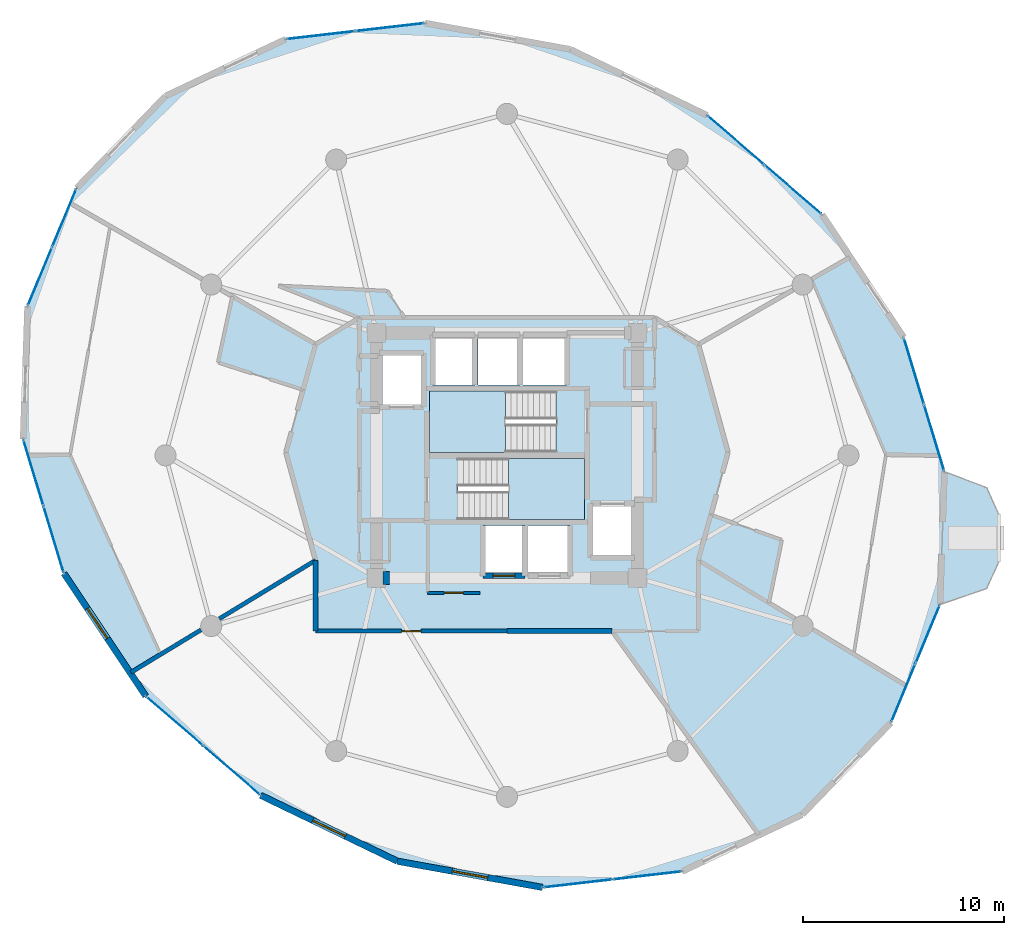
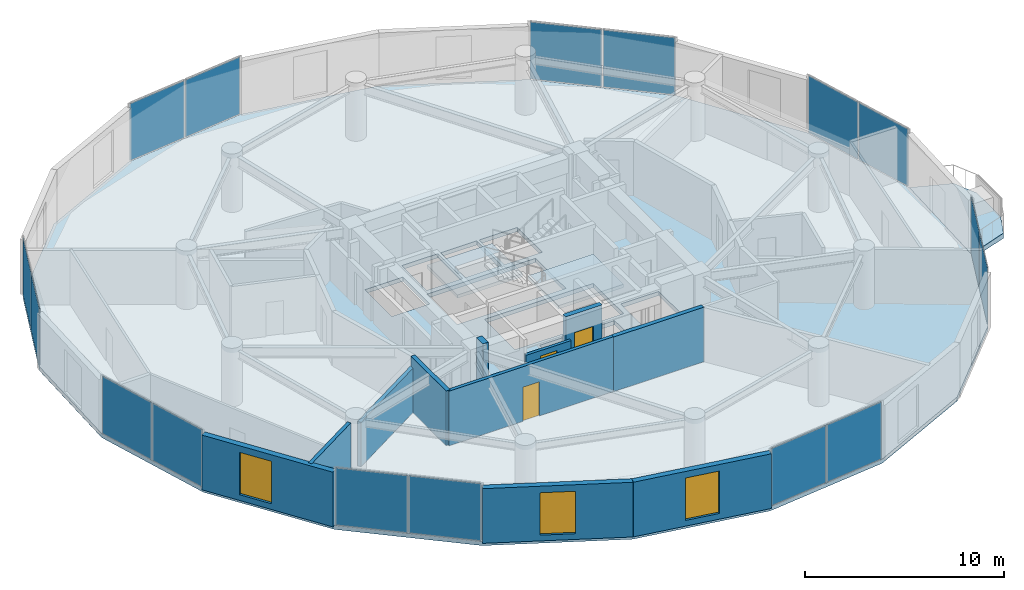
# One storey, part 20 of 26: 16 plates, 11 walls, 4 slabs, 3 doors, 3 windows, 6 openings, 10 elements without a shape of their own.
"""IFC4 building model written with IfcOpenShell, lengths in metres."""

from ifc_helpers import new_model, si_unit, direction, frame, frame_2d, origin, origin_2d, place, context, subcontext, project, spatial, polyline, rectangle, outline, extrude, source, transform, mapped, material, layer, layer_set, type_object, element, fill, aggregate, save


model = new_model("IFC4")

# Units and contexts
model_context = context("Model", 3, precision=1e-05, world=origin(), true_north=direction((0.0, 1.0)))
body_context = subcontext(model_context, "Body", "Model", "MODEL_VIEW")
ifc_project = project(units=[si_unit("LENGTHUNIT", "METRE"), si_unit("AREAUNIT", "SQUARE_METRE"), si_unit("VOLUMEUNIT", "CUBIC_METRE"), si_unit("PLANEANGLEUNIT", "RADIAN"), si_unit("MASSUNIT", "GRAM", prefix="KILO")], contexts=[model_context])

# Site, building, storey
site_placement = place(None, origin())
site = spatial("IfcSite", under=ifc_project, at=site_placement, CompositionType="ELEMENT")
building_placement = place(site_placement, origin())
building = spatial("IfcBuilding", under=site, at=building_placement, Name="Solvirekh Grand Hotel", CompositionType="ELEMENT")
storey_placement = place(building_placement, frame((0.0, 0.0, 113.39990234375)))
storey = spatial("IfcBuildingStorey", under=building, at=storey_placement, Name="L28", CompositionType="ELEMENT", Elevation=113.39990234375)

# Slab
ifc_material_1 = material(Name="Concrete C50/60", Category="concrete")
ifc_layer_1 = layer(ifc_material_1, 0.31005859375)
ifc_layer_set_1 = layer_set([ifc_layer_1], Name="Concrete C50/60")
slab_type_1 = type_object("IfcSlabType", Name="ExtHornSkyGarden_310", PredefinedType="FLOOR", material=ifc_layer_set_1)
slab_1_placement = place(storey_placement, frame((0.0, 0.0, -0.309814453125)))
element("IfcSlab", 1, at=slab_1_placement, inside=storey, type_object=slab_type_1, Name="L28 east horn sky-garden deck", PredefinedType="FLOOR", context=body_context, shape_type="SweptSolid", body=[
    extrude(outline(polyline([(21.782958984375, -0.81494140625), (21.56396484375, -7.424072265625), (23.883056640625, -6.631103515625), (24.48291015625, -5.30908203125), (24.48291015625, -2.929931640625), (23.883056640625, -1.60791015625), (21.782958984375, -0.81494140625)])), origin(), (0.0, 0.0, 1.0), 0.309814453125),
])

# Stair, slab
ifc_material_2 = material(Name="Concrete C40/50", Category="concrete")
stair_type = type_object("IfcStairType", Name="Stair_Core_1450", PredefinedType="HALF_TURN_STAIR", material=ifc_material_2)
stair_1_placement = place(storey_placement, origin())
stair_1 = element("IfcStair", 2, at=stair_1_placement, inside=storey, type_object=stair_type, Name="L28 Enclosed exit stair ST-1", PredefinedType="HALF_TURN_STAIR")
ifc_layer_2 = layer(ifc_material_2, 0.199951171875)
ifc_layer_set_2 = layer_set([ifc_layer_2], Name="Concrete C40/50")
slab_type_2 = type_object("IfcSlabType", Name="Landing_Stair_200", PredefinedType="LANDING", material=ifc_layer_set_2)
slab_2_placement = place(storey_placement, frame((0.0, 0.0, 1.60009765625)))
slab_2 = element("IfcSlab", 3, at=slab_2_placement, type_object=slab_type_2, Name="ST-1 landing 1", PredefinedType="LANDING", context=body_context, shape_type="SweptSolid", body=[
    extrude(outline(polyline([(0.070068359375, -3.199951171875), (3.85009765625, -3.199951171875), (3.85009765625, -0.14990234375), (0.070068359375, -0.14990234375), (0.070068359375, -3.199951171875)])), origin(), (0.0, 0.0, 1.0), 0.199951171875),
])
aggregate(stair_1, [slab_2])

stair_2_placement = place(storey_placement, origin())
stair_2 = element("IfcStair", 4, at=stair_2_placement, inside=storey, type_object=stair_type, Name="L28 Enclosed exit stair ST-2", PredefinedType="HALF_TURN_STAIR")
slab_3_placement = place(storey_placement, frame((0.0, 0.0, 1.60009765625)))
slab_3 = element("IfcSlab", 5, at=slab_3_placement, type_object=slab_type_2, Name="ST-2 landing 1", PredefinedType="LANDING", context=body_context, shape_type="SweptSolid", body=[
    extrude(outline(polyline([(-0.070068359375, 3.199951171875), (-3.85009765625, 3.199951171875), (-3.85009765625, 0.14990234375), (-0.070068359375, 0.14990234375), (-0.070068359375, 3.199951171875)])), origin(), (0.0, 0.0, 1.0), 0.199951171875),
])
aggregate(stair_2, [slab_3])

# Slab
ifc_layer_3 = layer(ifc_material_1, 0.25)
ifc_layer_set_3 = layer_set([ifc_layer_3], Name="Concrete C50/60")
slab_type_3 = type_object("IfcSlabType", Name="Slab_GuestZ2_250", PredefinedType="FLOOR", material=ifc_layer_set_3)
slab_4_placement = place(storey_placement, frame((0.0, 0.0, -0.25)))
element("IfcSlab", 6, at=slab_4_placement, inside=storey, type_object=slab_type_3, Name="L28 structural floor slab", PredefinedType="FLOOR", context=body_context, shape_type="SweptSolid", body=[
    extrude(outline(polyline([(19.123046875, -13.306884765625), (21.56396484375, -7.424072265625), (21.782958984375, -0.81494140625), (19.756103515625, 5.8740234375), (15.68310546875, 11.988037109375), (9.9619140625, 16.928955078125), (3.153076171875, 20.2119140625), (-4.076904296875, 21.51708984375), (-11.02001953125, 20.716064453125), (-16.9970703125, 17.886962890625), (-21.423095703125, 13.306884765625), (-23.864013671875, 7.424072265625), (-24.0830078125, 0.81494140625), (-22.055908203125, -5.8740234375), (-17.98291015625, -11.988037109375), (-12.261962890625, -16.928955078125), (-5.452880859375, -20.2119140625), (1.777099609375, -21.51708984375), (8.719970703125, -20.716064453125), (14.697021484375, -17.886962890625), (19.123046875, -13.306884765625)]), holes=[polyline([(-2.444091796875, -0.14990234375), (3.85009765625, -0.14990234375), (3.85009765625, -3.199951171875), (-2.444091796875, -3.199951171875), (-2.444091796875, -0.14990234375)]), polyline([(2.444091796875, 0.14990234375), (-3.85009765625, 0.14990234375), (-3.85009765625, 3.199951171875), (2.444091796875, 3.199951171875), (2.444091796875, 0.14990234375)]), polyline([(-1.199951171875, -3.5), (0.89990234375, -3.5), (0.89990234375, -6.0), (-1.199951171875, -6.0), (-1.199951171875, -3.5)]), polyline([(1.050048828125, -3.5), (3.14990234375, -3.5), (3.14990234375, -6.0), (1.050048828125, -6.0), (1.050048828125, -3.5)]), polyline([(-3.699951171875, 6.0), (-1.60009765625, 6.0), (-1.60009765625, 3.5), (-3.699951171875, 3.5), (-3.699951171875, 6.0)]), polyline([(-1.449951171875, 6.0), (0.64990234375, 6.0), (0.64990234375, 3.5), (-1.449951171875, 3.5), (-1.449951171875, 6.0)]), polyline([(0.800048828125, 6.0), (3.0, 6.0), (3.0, 3.5), (0.800048828125, 3.5), (0.800048828125, 6.0)]), polyline([(-6.35009765625, 5.10009765625), (-4.14990234375, 5.10009765625), (-4.14990234375, 2.39990234375), (-6.35009765625, 2.39990234375), (-6.35009765625, 5.10009765625)]), polyline([(4.14990234375, -2.39990234375), (6.35009765625, -2.39990234375), (6.35009765625, -5.10009765625), (4.14990234375, -5.10009765625), (4.14990234375, -2.39990234375)])]), origin(), (0.0, 0.0, 1.0), 0.25),
])

# Curtain wall, plates
ifc_material_3 = material(Name="Anodized Bronze Aluminium 6063-T6", Category="aluminium")
ifc_layer_4 = layer(ifc_material_3, 0.175048828125)
ifc_layer_set_4 = layer_set([ifc_layer_4], Name="Anodized Bronze Aluminium 6063-T6")
curtain_wall_type = type_object("IfcCurtainWallType", Name="CW_Sys3_MidZoneFlushBronzeCW", PredefinedType="NOTDEFINED", material=ifc_layer_set_4)
curtain_wall_1_placement = place(storey_placement, origin())
curtain_wall_1 = element("IfcCurtainWall", 7, at=curtain_wall_1_placement, inside=storey, type_object=curtain_wall_type, Name="L28 unitised bronze-glass curtain wall CW-L28-C01", PredefinedType="NOTDEFINED")
ifc_material_4 = material(Name="Low-E Tinted Bronze Laminated Glass", Category="aluminium")
ifc_layer_5 = layer(ifc_material_4, 0.035888671875)
ifc_layer_set_5 = layer_set([ifc_layer_5], Name="Low-E Tinted Bronze Laminated Glass")
plate_type = type_object("IfcPlateType", Name="CWPanel_Mid_36", PredefinedType="CURTAIN_PANEL", material=ifc_layer_set_5)
shared_shape_1 = source(origin(), body_context, "Body", "SweptSolid", [
    extrude(rectangle(XDim=3.087158203125, YDim=0.035888671875, at=origin_2d()), origin(), (0.0, 0.0, 1.0), 3.489990234375),
])
plate_1_placement = place(storey_placement, frame((19.739501953125, -11.8212890625, 0.05517578125), z_axis=(0.0, 0.0, 1.0), x_axis=(0.383243740872, 0.923647246021, 0.0)))
plate_1 = element("IfcPlate", 8, at=plate_1_placement, type_object=plate_type, Name="U03 panel 1.1", PredefinedType="CURTAIN_PANEL", context=body_context, shape_type="MappedRepresentation", body=[
    mapped(shared_shape_1, transform((0.0, 0.0, 0.0), x_axis=(1.0, 0.0, 0.0), y_axis=(0.0, 1.0, 0.0), z_axis=(0.0, 0.0, 1.0), scale=1.0)),
])
plate_2_placement = place(storey_placement, frame((20.947509765625, -8.90966796875, 0.05517578125), z_axis=(0.0, 0.0, 1.0), x_axis=(0.383243740872, 0.923647246021, 0.0)))
plate_2 = element("IfcPlate", 9, at=plate_2_placement, type_object=plate_type, Name="U03 panel 2.1", PredefinedType="CURTAIN_PANEL", context=body_context, shape_type="MappedRepresentation", body=[
    mapped(shared_shape_1, transform((0.0, 0.0, 0.0), x_axis=(1.0, 0.0, 0.0), y_axis=(0.0, 1.0, 0.0), z_axis=(0.0, 0.0, 1.0), scale=1.0)),
])
aggregate(curtain_wall_1, [plate_1, plate_2])

curtain_wall_2_placement = place(storey_placement, origin())
curtain_wall_2 = element("IfcCurtainWall", 10, at=curtain_wall_2_placement, inside=storey, type_object=curtain_wall_type, Name="L28 unitised bronze-glass curtain wall CW-L28-C11", PredefinedType="NOTDEFINED")
plate_3_placement = place(storey_placement, frame((-22.03955078125, 11.8212890625, 0.05517578125), z_axis=(0.0, 0.0, 1.0), x_axis=(-0.383243740872, -0.923647246021, 0.0)))
plate_3 = element("IfcPlate", 11, at=plate_3_placement, type_object=plate_type, Name="U03 panel 1.1", PredefinedType="CURTAIN_PANEL", context=body_context, shape_type="MappedRepresentation", body=[
    mapped(shared_shape_1, transform((0.0, 0.0, 0.0), x_axis=(1.0, 0.0, 0.0), y_axis=(0.0, 1.0, 0.0), z_axis=(0.0, 0.0, 1.0), scale=1.0)),
])
plate_4_placement = place(storey_placement, frame((-23.24755859375, 8.90966796875, 0.05517578125), z_axis=(0.0, 0.0, 1.0), x_axis=(-0.383243740872, -0.923647246021, 0.0)))
plate_4 = element("IfcPlate", 12, at=plate_4_placement, type_object=plate_type, Name="U03 panel 2.1", PredefinedType="CURTAIN_PANEL", context=body_context, shape_type="MappedRepresentation", body=[
    mapped(shared_shape_1, transform((0.0, 0.0, 0.0), x_axis=(1.0, 0.0, 0.0), y_axis=(0.0, 1.0, 0.0), z_axis=(0.0, 0.0, 1.0), scale=1.0)),
])
aggregate(curtain_wall_2, [plate_3, plate_4])

curtain_wall_3_placement = place(storey_placement, origin())
curtain_wall_3 = element("IfcCurtainWall", 13, at=curtain_wall_3_placement, inside=storey, type_object=curtain_wall_type, Name="L28 unitised bronze-glass curtain wall CW-L28-C03", PredefinedType="NOTDEFINED")
shared_shape_2 = source(origin(), body_context, "Body", "SweptSolid", [
    extrude(rectangle(XDim=3.397216796875, YDim=0.035888671875, at=origin_2d()), origin(), (0.0, 0.0, 1.0), 3.489990234375),
])
plate_5_placement = place(storey_placement, frame((21.271484375, 0.872802734375, 0.05517578125), z_axis=(0.0, 0.0, 1.0), x_axis=(-0.290011366226, 0.957023201108, 0.0)))
plate_5 = element("IfcPlate", 14, at=plate_5_placement, type_object=plate_type, Name="U03 panel 1.1", PredefinedType="CURTAIN_PANEL", context=body_context, shape_type="MappedRepresentation", body=[
    mapped(shared_shape_2, transform((0.0, 0.0, 0.0), x_axis=(1.0, 0.0, 0.0), y_axis=(0.0, 1.0, 0.0), z_axis=(0.0, 0.0, 1.0), scale=1.0)),
])
plate_6_placement = place(storey_placement, frame((20.267578125, 4.186279296875, 0.05517578125), z_axis=(0.0, 0.0, 1.0), x_axis=(-0.290011366226, 0.957023201108, 0.0)))
plate_6 = element("IfcPlate", 15, at=plate_6_placement, type_object=plate_type, Name="U03 panel 2.1", PredefinedType="CURTAIN_PANEL", context=body_context, shape_type="MappedRepresentation", body=[
    mapped(shared_shape_2, transform((0.0, 0.0, 0.0), x_axis=(1.0, 0.0, 0.0), y_axis=(0.0, 1.0, 0.0), z_axis=(0.0, 0.0, 1.0), scale=1.0)),
])
aggregate(curtain_wall_3, [plate_5, plate_6])

curtain_wall_4_placement = place(storey_placement, origin())
curtain_wall_4 = element("IfcCurtainWall", 16, at=curtain_wall_4_placement, inside=storey, type_object=curtain_wall_type, Name="L28 unitised bronze-glass curtain wall CW-L28-C13", PredefinedType="NOTDEFINED")
plate_7_placement = place(storey_placement, frame((-23.571533203125, -0.872802734375, 0.05517578125), z_axis=(0.0, 0.0, 1.0), x_axis=(0.290011366226, -0.957023201108, 0.0)))
plate_7 = element("IfcPlate", 17, at=plate_7_placement, type_object=plate_type, Name="U03 panel 1.1", PredefinedType="CURTAIN_PANEL", context=body_context, shape_type="MappedRepresentation", body=[
    mapped(shared_shape_2, transform((0.0, 0.0, 0.0), x_axis=(1.0, 0.0, 0.0), y_axis=(0.0, 1.0, 0.0), z_axis=(0.0, 0.0, 1.0), scale=1.0)),
])
plate_8_placement = place(storey_placement, frame((-22.5673828125, -4.186279296875, 0.05517578125), z_axis=(0.0, 0.0, 1.0), x_axis=(0.290011366226, -0.957023201108, 0.0)))
plate_8 = element("IfcPlate", 18, at=plate_8_placement, type_object=plate_type, Name="U03 panel 2.1", PredefinedType="CURTAIN_PANEL", context=body_context, shape_type="MappedRepresentation", body=[
    mapped(shared_shape_2, transform((0.0, 0.0, 0.0), x_axis=(1.0, 0.0, 0.0), y_axis=(0.0, 1.0, 0.0), z_axis=(0.0, 0.0, 1.0), scale=1.0)),
])
aggregate(curtain_wall_4, [plate_7, plate_8])

curtain_wall_5_placement = place(storey_placement, origin())
curtain_wall_5 = element("IfcCurtainWall", 19, at=curtain_wall_5_placement, inside=storey, type_object=curtain_wall_type, Name="L28 unitised bronze-glass curtain wall CW-L28-C05", PredefinedType="NOTDEFINED")
shared_shape_3 = source(origin(), body_context, "Body", "SweptSolid", [
    extrude(rectangle(XDim=3.68212890625, YDim=0.035888671875, at=origin_2d()), origin(), (0.0, 0.0, 1.0), 3.489990234375),
])
plate_9_placement = place(storey_placement, frame((14.240478515625, 13.23388671875, 0.05517578125), z_axis=(0.0, 0.0, 1.0), x_axis=(-0.756814084193, 0.653630202765, 0.0)))
plate_9 = element("IfcPlate", 20, at=plate_9_placement, type_object=plate_type, Name="U03 panel 1.1", PredefinedType="CURTAIN_PANEL", context=body_context, shape_type="MappedRepresentation", body=[
    mapped(shared_shape_3, transform((0.0, 0.0, 0.0), x_axis=(1.0, 0.0, 0.0), y_axis=(0.0, 1.0, 0.0), z_axis=(0.0, 0.0, 1.0), scale=1.0)),
])
plate_10_placement = place(storey_placement, frame((11.404541015625, 15.68310546875, 0.05517578125), z_axis=(0.0, 0.0, 1.0), x_axis=(-0.756814084193, 0.653630202765, 0.0)))
plate_10 = element("IfcPlate", 21, at=plate_10_placement, type_object=plate_type, Name="U03 panel 2.1", PredefinedType="CURTAIN_PANEL", context=body_context, shape_type="MappedRepresentation", body=[
    mapped(shared_shape_3, transform((0.0, 0.0, 0.0), x_axis=(1.0, 0.0, 0.0), y_axis=(0.0, 1.0, 0.0), z_axis=(0.0, 0.0, 1.0), scale=1.0)),
])
aggregate(curtain_wall_5, [plate_9, plate_10])

curtain_wall_6_placement = place(storey_placement, origin())
curtain_wall_6 = element("IfcCurtainWall", 22, at=curtain_wall_6_placement, inside=storey, type_object=curtain_wall_type, Name="L28 unitised bronze-glass curtain wall CW-L28-C15", PredefinedType="NOTDEFINED")
plate_11_placement = place(storey_placement, frame((-16.54052734375, -13.23388671875, 0.05517578125), z_axis=(0.0, 0.0, 1.0), x_axis=(0.756814084193, -0.653630202765, 0.0)))
plate_11 = element("IfcPlate", 23, at=plate_11_placement, type_object=plate_type, Name="U03 panel 1.1", PredefinedType="CURTAIN_PANEL", context=body_context, shape_type="MappedRepresentation", body=[
    mapped(shared_shape_3, transform((0.0, 0.0, 0.0), x_axis=(1.0, 0.0, 0.0), y_axis=(0.0, 1.0, 0.0), z_axis=(0.0, 0.0, 1.0), scale=1.0)),
])
plate_12_placement = place(storey_placement, frame((-13.70458984375, -15.68310546875, 0.05517578125), z_axis=(0.0, 0.0, 1.0), x_axis=(0.756814084193, -0.653630202765, 0.0)))
plate_12 = element("IfcPlate", 24, at=plate_12_placement, type_object=plate_type, Name="U03 panel 2.1", PredefinedType="CURTAIN_PANEL", context=body_context, shape_type="MappedRepresentation", body=[
    mapped(shared_shape_3, transform((0.0, 0.0, 0.0), x_axis=(1.0, 0.0, 0.0), y_axis=(0.0, 1.0, 0.0), z_axis=(0.0, 0.0, 1.0), scale=1.0)),
])
aggregate(curtain_wall_6, [plate_11, plate_12])

curtain_wall_7_placement = place(storey_placement, origin())
curtain_wall_7 = element("IfcCurtainWall", 25, at=curtain_wall_7_placement, inside=storey, type_object=curtain_wall_type, Name="L28 unitised bronze-glass curtain wall CW-L28-C08", PredefinedType="NOTDEFINED")
shared_shape_4 = source(origin(), body_context, "Body", "SweptSolid", [
    extrude(rectangle(XDim=3.39697265625, YDim=0.035888671875, at=origin_2d()), origin(), (0.0, 0.0, 1.0), 3.489990234375),
])
plate_13_placement = place(storey_placement, frame((-5.828857421875, 21.31494140625, 0.05517578125), z_axis=(0.0, 0.0, 1.0), x_axis=(-0.993410815634, -0.114607815536, 0.0)))
plate_13 = element("IfcPlate", 26, at=plate_13_placement, type_object=plate_type, Name="U03 panel 1.1", PredefinedType="CURTAIN_PANEL", context=body_context, shape_type="MappedRepresentation", body=[
    mapped(shared_shape_4, transform((0.0, 0.0, 0.0), x_axis=(1.0, 0.0, 0.0), y_axis=(0.0, 1.0, 0.0), z_axis=(0.0, 0.0, 1.0), scale=1.0)),
])
plate_14_placement = place(storey_placement, frame((-9.26806640625, 20.918212890625, 0.05517578125), z_axis=(0.0, 0.0, 1.0), x_axis=(-0.993410815634, -0.114607815536, 0.0)))
plate_14 = element("IfcPlate", 27, at=plate_14_placement, type_object=plate_type, Name="U03 panel 2.1", PredefinedType="CURTAIN_PANEL", context=body_context, shape_type="MappedRepresentation", body=[
    mapped(shared_shape_4, transform((0.0, 0.0, 0.0), x_axis=(1.0, 0.0, 0.0), y_axis=(0.0, 1.0, 0.0), z_axis=(0.0, 0.0, 1.0), scale=1.0)),
])
aggregate(curtain_wall_7, [plate_13, plate_14])

curtain_wall_8_placement = place(storey_placement, origin())
curtain_wall_8 = element("IfcCurtainWall", 28, at=curtain_wall_8_placement, inside=storey, type_object=curtain_wall_type, Name="L28 unitised bronze-glass curtain wall CW-L28-C18", PredefinedType="NOTDEFINED")
plate_15_placement = place(storey_placement, frame((3.52880859375, -21.31494140625, 0.05517578125), z_axis=(0.0, 0.0, 1.0), x_axis=(0.993410815634, 0.114607815536, 0.0)))
plate_15 = element("IfcPlate", 29, at=plate_15_placement, type_object=plate_type, Name="U03 panel 1.1", PredefinedType="CURTAIN_PANEL", context=body_context, shape_type="MappedRepresentation", body=[
    mapped(shared_shape_4, transform((0.0, 0.0, 0.0), x_axis=(1.0, 0.0, 0.0), y_axis=(0.0, 1.0, 0.0), z_axis=(0.0, 0.0, 1.0), scale=1.0)),
])
plate_16_placement = place(storey_placement, frame((6.968017578125, -20.918212890625, 0.05517578125), z_axis=(0.0, 0.0, 1.0), x_axis=(0.993410815634, 0.114607815536, 0.0)))
plate_16 = element("IfcPlate", 30, at=plate_16_placement, type_object=plate_type, Name="U03 panel 2.1", PredefinedType="CURTAIN_PANEL", context=body_context, shape_type="MappedRepresentation", body=[
    mapped(shared_shape_4, transform((0.0, 0.0, 0.0), x_axis=(1.0, 0.0, 0.0), y_axis=(0.0, 1.0, 0.0), z_axis=(0.0, 0.0, 1.0), scale=1.0)),
])
aggregate(curtain_wall_8, [plate_15, plate_16])

# Wall, opening, door
ifc_layer_6 = layer(ifc_material_2, 0.280029296875)
ifc_layer_set_6 = layer_set([ifc_layer_6], Name="Concrete C40/50")
wall_type_1 = type_object("IfcWallType", Name="CoreShaftWall_RC280", PredefinedType="SOLIDWALL", material=ifc_layer_set_6)
wall_1_placement = place(storey_placement, frame((-1.199951171875, -6.0, 0.0), z_axis=(0.0, 0.0, 1.0), x_axis=(1.0, 0.0, 0.0)))
wall_1 = element("IfcWall", 31, at=wall_1_placement, inside=storey, type_object=wall_type_1, Name="L28 MP-1 hoistway S wall", PredefinedType="SOLIDWALL", context=body_context, shape_type="SweptSolid", body=[
    extrude(rectangle(XDim=2.099853515625, YDim=0.280029296875, at=frame_2d((1.0498046875, 0.0))), origin(), (0.0, 0.0, 1.0), 3.35009765625),
])
opening_1_placement = place(wall_1_placement, frame((0.5, 0.0, 0.0)))
opening_1 = element("IfcOpeningElement", 32, at=opening_1_placement, cuts=wall_1, Name="Opening LD01", PredefinedType="OPENING", context=body_context, shape_type="SweptSolid", body=[
    extrude(rectangle(XDim=1.10009765625, YDim=2.199951171875, at=frame_2d((0.550048828125, 1.10009765625))), frame((0.0, 0.14990234375, 0.0), z_axis=(0.0, -1.0, 0.0), x_axis=(1.0, 0.0, 0.0)), (0.0, 0.0, 1.0), 0.300048828125),
])
ifc_material_5 = material(Name="Fire-Rated Steel Door Assembly", Category="steel")
door_type_1 = type_object("IfcDoorType", Name="Door_LiftLanding_1100X2200", OperationType="SLIDING_TO_LEFT", PredefinedType="DOOR", material=ifc_material_5)
door_1_placement = place(opening_1_placement, origin())
door_1 = element("IfcDoor", 33, at=door_1_placement, inside=storey, type_object=door_type_1, Name="L28 MP-1 sliding lift landing door", OperationType="SLIDING_TO_LEFT", OverallHeight=2.199951171875, OverallWidth=1.10009765625, PredefinedType="DOOR", context=body_context, shape_type="SweptSolid", body=[
    extrude(rectangle(XDim=1.10009765625, YDim=2.199951171875, at=frame_2d((0.550048828125, 1.10009765625))), frame((0.0, 0.02490234375, 0.0), z_axis=(0.0, -1.0, 0.0), x_axis=(1.0, 0.0, 0.0)), (0.0, 0.0, 1.0), 0.050048828125),
])
fill(opening_1, door_1)

# Wall
ifc_layer_7 = layer(ifc_material_1, 0.64990234375)
ifc_layer_set_7 = layer_set([ifc_layer_7], Name="Concrete C50/60")
wall_type_2 = type_object("IfcWallType", Name="CoreWall_RC650", PredefinedType="SHEAR", material=ifc_layer_set_7)
wall_2_placement = place(storey_placement, frame((-6.175048828125, -6.10009765625, 0.0), z_axis=(0.0, 0.0, 1.0), x_axis=(1.0, 0.0, 0.0)))
element("IfcWall", 34, at=wall_2_placement, inside=storey, type_object=wall_type_2, Name="L28 core corner shear wall SW-S", PredefinedType="SHEAR", context=body_context, shape_type="SweptSolid", body=[
    extrude(rectangle(XDim=0.324951171875, YDim=0.64990234375, at=frame_2d((0.16259765625, 0.0))), origin(), (0.0, 0.0, 1.0), 3.60009765625),
])

# Wall, opening, window
ifc_material_6 = material(Name="Precast concrete C45/55", Category="concrete")
ifc_layer_8 = layer(ifc_material_6, 0.320068359375)
ifc_layer_set_8 = layer_set([ifc_layer_8], Name="Precast concrete C45/55")
wall_type_3 = type_object("IfcWallType", Name="ExtLobbyWall_RC320", PredefinedType="SOLIDWALL", material=ifc_layer_set_8)
wall_3_placement = place(storey_placement, frame((-17.98291015625, -11.988037109375, 0.0), z_axis=(0.0, 0.0, 1.0), x_axis=(-0.554416410256, 0.832239415096, 0.0)))
wall_3 = element("IfcWall", 35, at=wall_3_placement, inside=storey, type_object=wall_type_3, Name="L28 exterior structural wall chord 14", PredefinedType="SOLIDWALL", context=body_context, shape_type="SweptSolid", body=[
    extrude(rectangle(XDim=7.346435546875, YDim=0.320068359375, at=frame_2d((3.67333984375, 0.0))), origin(), (0.0, 0.0, 1.0), 3.35009765625),
])
opening_2_placement = place(wall_3_placement, frame((3.444091796875, 0.0, 0.35009765625)))
opening_2 = element("IfcOpeningElement", 36, at=opening_2_placement, cuts=wall_3, Name="Opening W02", PredefinedType="OPENING", context=body_context, shape_type="SweptSolid", body=[
    extrude(rectangle(XDim=1.800048828125, YDim=2.60009765625, at=frame_2d((0.89990234375, 1.300048828125))), frame((0.0, 0.169921875, 0.0), z_axis=(0.0, -1.0, 0.0), x_axis=(1.0, 0.0, 0.0)), (0.0, 0.0, 1.0), 0.340087890625),
])
window_type = type_object("IfcWindowType", Name="Win_LobbyExt_1800X2600", PartitioningType="SINGLE_PANEL", PredefinedType="WINDOW", material=ifc_material_4)
window_1_placement = place(opening_2_placement, origin())
window_1 = element("IfcWindow", 37, at=window_1_placement, inside=storey, type_object=window_type, Name="L28 panoramic bronze-framed window 14", OverallHeight=2.60009765625, OverallWidth=1.800048828125, PartitioningType="SINGLE_PANEL", PredefinedType="WINDOW", context=body_context, shape_type="SweptSolid", body=[
    extrude(rectangle(XDim=1.800048828125, YDim=2.60009765625, at=frame_2d((0.89990234375, 1.300048828125))), frame((0.0, 0.030029296875, 0.0), z_axis=(0.0, -1.0, 0.0), x_axis=(1.0, 0.0, 0.0)), (0.0, 0.0, 1.0), 0.06005859375),
])
fill(opening_2, window_1)

wall_4_placement = place(storey_placement, frame((-5.452880859375, -20.2119140625, 0.0), z_axis=(0.0, 0.0, 1.0), x_axis=(-0.900768230127, 0.434300121568, 0.0)))
wall_4 = element("IfcWall", 38, at=wall_4_placement, inside=storey, type_object=wall_type_3, Name="L28 exterior structural wall chord 16", PredefinedType="SOLIDWALL", context=body_context, shape_type="SweptSolid", body=[
    extrude(rectangle(XDim=7.55908203125, YDim=0.320068359375, at=frame_2d((3.779541015625, 0.0))), origin(), (0.0, 0.0, 1.0), 3.35009765625),
])
opening_3_placement = place(wall_4_placement, frame((2.8798828125, 0.0, 0.35009765625)))
opening_3 = element("IfcOpeningElement", 39, at=opening_3_placement, cuts=wall_4, Name="Opening W02", PredefinedType="OPENING", context=body_context, shape_type="SweptSolid", body=[
    extrude(rectangle(XDim=1.800048828125, YDim=2.60009765625, at=frame_2d((0.89990234375, 1.300048828125))), frame((0.0, 0.169921875, 0.0), z_axis=(0.0, -1.0, 0.0), x_axis=(1.0, 0.0, 0.0)), (0.0, 0.0, 1.0), 0.340087890625),
])
window_2_placement = place(opening_3_placement, origin())
window_2 = element("IfcWindow", 40, at=window_2_placement, inside=storey, type_object=window_type, Name="L28 panoramic bronze-framed window 16", OverallHeight=2.60009765625, OverallWidth=1.800048828125, PartitioningType="SINGLE_PANEL", PredefinedType="WINDOW", context=body_context, shape_type="SweptSolid", body=[
    extrude(rectangle(XDim=1.800048828125, YDim=2.60009765625, at=frame_2d((0.89990234375, 1.300048828125))), frame((0.0, 0.030029296875, 0.0), z_axis=(0.0, -1.0, 0.0), x_axis=(1.0, 0.0, 0.0)), (0.0, 0.0, 1.0), 0.06005859375),
])
fill(opening_3, window_2)

wall_5_placement = place(storey_placement, frame((1.777099609375, -21.51708984375, 0.0), z_axis=(0.0, 0.0, 1.0), x_axis=(-0.984093509757, 0.177651242762, 0.0)))
wall_5 = element("IfcWall", 41, at=wall_5_placement, inside=storey, type_object=wall_type_3, Name="L28 exterior structural wall chord 17", PredefinedType="SOLIDWALL", context=body_context, shape_type="SweptSolid", body=[
    extrude(rectangle(XDim=7.346923828125, YDim=0.320068359375, at=frame_2d((3.67333984375, 0.0))), origin(), (0.0, 0.0, 1.0), 3.35009765625),
])
opening_4_placement = place(wall_5_placement, frame((2.77294921875, 0.0, 0.35009765625)))
opening_4 = element("IfcOpeningElement", 42, at=opening_4_placement, cuts=wall_5, Name="Opening W02", PredefinedType="OPENING", context=body_context, shape_type="SweptSolid", body=[
    extrude(rectangle(XDim=1.800048828125, YDim=2.60009765625, at=frame_2d((0.89990234375, 1.300048828125))), frame((0.0, 0.169921875, 0.0), z_axis=(0.0, -1.0, 0.0), x_axis=(1.0, 0.0, 0.0)), (0.0, 0.0, 1.0), 0.340087890625),
])
window_3_placement = place(opening_4_placement, origin())
window_3 = element("IfcWindow", 43, at=window_3_placement, inside=storey, type_object=window_type, Name="L28 panoramic bronze-framed window 17", OverallHeight=2.60009765625, OverallWidth=1.800048828125, PartitioningType="SINGLE_PANEL", PredefinedType="WINDOW", context=body_context, shape_type="SweptSolid", body=[
    extrude(rectangle(XDim=1.800048828125, YDim=2.60009765625, at=frame_2d((0.89990234375, 1.300048828125))), frame((0.0, 0.030029296875, 0.0), z_axis=(0.0, -1.0, 0.0), x_axis=(1.0, 0.0, 0.0)), (0.0, 0.0, 1.0), 0.06005859375),
])
fill(opening_4, window_3)

# Wall, opening, door
ifc_material_7 = material(Name="Acoustic Gypsum Partition Assembly")
ifc_layer_9 = layer(ifc_material_7, 0.1650390625)
ifc_layer_set_9 = layer_set([ifc_layer_9], Name="Acoustic Gypsum Partition Assembly")
wall_type_4 = type_object("IfcWallType", Name="Part_BOH_165", PredefinedType="PARTITIONING", material=ifc_layer_set_9)
wall_6_placement = place(storey_placement, frame((-3.949951171875, -6.85009765625, 0.0), z_axis=(0.0, 0.0, 1.0), x_axis=(1.0, 0.0, 0.0)))
wall_6 = element("IfcWall", 44, at=wall_6_placement, inside=storey, type_object=wall_type_4, Name="L28 Mid-Zone Housekeeping Room wall 1", PredefinedType="PARTITIONING", context=body_context, shape_type="SweptSolid", body=[
    extrude(rectangle(XDim=2.599853515625, YDim=0.1650390625, at=frame_2d((1.2998046875, 0.0))), origin(), (0.0, 0.0, 1.0), 2.43505859375),
])
opening_5_placement = place(wall_6_placement, frame((0.824951171875, 0.0, 0.0)))
opening_5 = element("IfcOpeningElement", 45, at=opening_5_placement, cuts=wall_6, Name="Opening D10", PredefinedType="OPENING", context=body_context, shape_type="SweptSolid", body=[
    extrude(rectangle(XDim=0.949951171875, YDim=2.10009765625, at=frame_2d((0.47509765625, 1.050048828125))), frame((0.0, 0.092529296875, 0.0), z_axis=(0.0, -1.0, 0.0), x_axis=(1.0, 0.0, 0.0)), (0.0, 0.0, 1.0), 0.18505859375),
])
door_type_2 = type_object("IfcDoorType", Name="Door_RoomInt_950X2100", OperationType="NOTDEFINED", PredefinedType="DOOR", material=ifc_material_3)
door_2_placement = place(opening_5_placement, origin())
door_2 = element("IfcDoor", 46, at=door_2_placement, inside=storey, type_object=door_type_2, Name="L28 Mid-Zone Housekeeping Room door", OperationType="SINGLE_SWING_LEFT", OverallHeight=2.10009765625, OverallWidth=0.949951171875, PredefinedType="DOOR", context=body_context, shape_type="SweptSolid", body=[
    extrude(rectangle(XDim=0.949951171875, YDim=2.10009765625, at=frame_2d((0.47509765625, 1.050048828125))), frame((0.0, 0.02490234375, 0.0), z_axis=(0.0, -1.0, 0.0), x_axis=(1.0, 0.0, 0.0)), (0.0, 0.0, 1.0), 0.050048828125),
])
fill(opening_5, door_2)

# Walls
ifc_layer_10 = layer(ifc_material_7, 0.239990234375)
ifc_layer_set_10 = layer_set([ifc_layer_10], Name="Acoustic Gypsum Partition Assembly")
wall_type_5 = type_object("IfcWallType", Name="Part_Corridor_240", PredefinedType="PARTITIONING", material=ifc_layer_set_10)
wall_7_placement = place(storey_placement, frame((-9.52587890625, -5.22509765625, 0.0), z_axis=(0.0, 0.0, 1.0), x_axis=(0.0, -1.0, 0.0)))
element("IfcWall", 47, at=wall_7_placement, inside=storey, type_object=wall_type_5, Name="L28 L28 Chamber Music Conservatory corridor wall 1", PredefinedType="PARTITIONING", context=body_context, shape_type="SweptSolid", body=[
    extrude(rectangle(XDim=3.52490234375, YDim=0.239990234375, at=frame_2d((1.762451171875, 0.0))), origin(), (0.0, 0.0, 1.0), 3.35009765625),
])
wall_8_placement = place(storey_placement, frame((0.0, -8.75, 0.0), z_axis=(0.0, 0.0, 1.0), x_axis=(1.0, 0.0, 0.0)))
element("IfcWall", 48, at=wall_8_placement, inside=storey, type_object=wall_type_5, Name="L28 L28 Chamber Music Conservatory corridor wall 2", PredefinedType="PARTITIONING", context=body_context, shape_type="SweptSolid", body=[
    extrude(rectangle(XDim=5.239013671875, YDim=0.239990234375, at=frame_2d((2.61962890625, 0.0))), origin(), (0.0, 0.0, 1.0), 3.35009765625),
])

# Wall, opening, door
ifc_layer_11 = layer(ifc_material_7, 0.18994140625)
ifc_layer_set_11 = layer_set([ifc_layer_11], Name="Acoustic Gypsum Partition Assembly")
wall_type_6 = type_object("IfcWallType", Name="Part_GuestDemise_190", PredefinedType="PARTITIONING", material=ifc_layer_set_11)
wall_9_placement = place(storey_placement, frame((-9.52587890625, -8.75, 0.0), z_axis=(0.0, 0.0, 1.0), x_axis=(1.0, 0.0, 0.0)))
wall_9 = element("IfcWall", 49, at=wall_9_placement, inside=storey, type_object=wall_type_6, Name="L28 L28 Chamber Music Conservatory entrance wall", PredefinedType="PARTITIONING", context=body_context, shape_type="SweptSolid", body=[
    extrude(rectangle(XDim=9.52587890625, YDim=0.18994140625, at=frame_2d((4.762939453125, 0.0))), origin(), (0.0, 0.0, 1.0), 3.35009765625),
])
opening_6_placement = place(wall_9_placement, frame((4.2880859375, 0.0, 0.0)))
opening_6 = element("IfcOpeningElement", 50, at=opening_6_placement, cuts=wall_9, Name="Opening D10", PredefinedType="OPENING", context=body_context, shape_type="SweptSolid", body=[
    extrude(rectangle(XDim=0.949951171875, YDim=2.10009765625, at=frame_2d((0.47509765625, 1.050048828125))), frame((0.0, 0.10498046875, 0.0), z_axis=(0.0, -1.0, 0.0), x_axis=(1.0, 0.0, 0.0)), (0.0, 0.0, 1.0), 0.2099609375),
])
door_3_placement = place(opening_6_placement, origin())
door_3 = element("IfcDoor", 51, at=door_3_placement, inside=storey, type_object=door_type_2, Name="L28 L28 Chamber Music Conservatory entrance door", OperationType="SINGLE_SWING_RIGHT", OverallHeight=2.10009765625, OverallWidth=0.949951171875, PredefinedType="DOOR", context=body_context, shape_type="SweptSolid", body=[
    extrude(rectangle(XDim=0.949951171875, YDim=2.10009765625, at=frame_2d((0.47509765625, 1.050048828125))), frame((0.0, 0.02490234375, 0.0), z_axis=(0.0, -1.0, 0.0), x_axis=(1.0, 0.0, 0.0)), (0.0, 0.0, 1.0), 0.050048828125),
])
fill(opening_6, door_3)

# Walls
ifc_layer_12 = layer(ifc_material_7, 0.2099609375)
ifc_layer_set_12 = layer_set([ifc_layer_12], Name="Acoustic Gypsum Partition Assembly")
wall_type_7 = type_object("IfcWallType", Name="Part_SuiteDemise_210", PredefinedType="PARTITIONING", material=ifc_layer_set_12)
wall_10_placement = place(storey_placement, frame((-9.52587890625, -5.22509765625, 0.0), z_axis=(0.0, 0.0, 1.0), x_axis=(-0.854837879537, -0.518895172178, 0.0)))
element("IfcWall", 52, at=wall_10_placement, inside=storey, type_object=wall_type_7, Name="L28 suite radial wall 8 (A)", PredefinedType="PARTITIONING", context=body_context, shape_type="SweptSolid", body=[
    extrude(rectangle(XDim=5.60595703125, YDim=0.2099609375, at=frame_2d((2.802978515625, 0.0))), origin(), (0.0, 0.0, 1.0), 2.718017578125),
])
wall_11_placement = place(storey_placement, frame((-15.23291015625, -8.68994140625, 0.0), z_axis=(0.0, 0.0, 1.0), x_axis=(-0.854741066816, -0.519054629782, 0.0)))
element("IfcWall", 53, at=wall_11_placement, inside=storey, type_object=wall_type_7, Name="L28 suite radial wall 8 (B)", PredefinedType="PARTITIONING", context=body_context, shape_type="SweptSolid", body=[
    extrude(rectangle(XDim=4.080810546875, YDim=0.2099609375, at=frame_2d((2.04052734375, 0.0))), origin(), (0.0, 0.0, 1.0), 3.35009765625),
])

save(model, "model.ifc")
